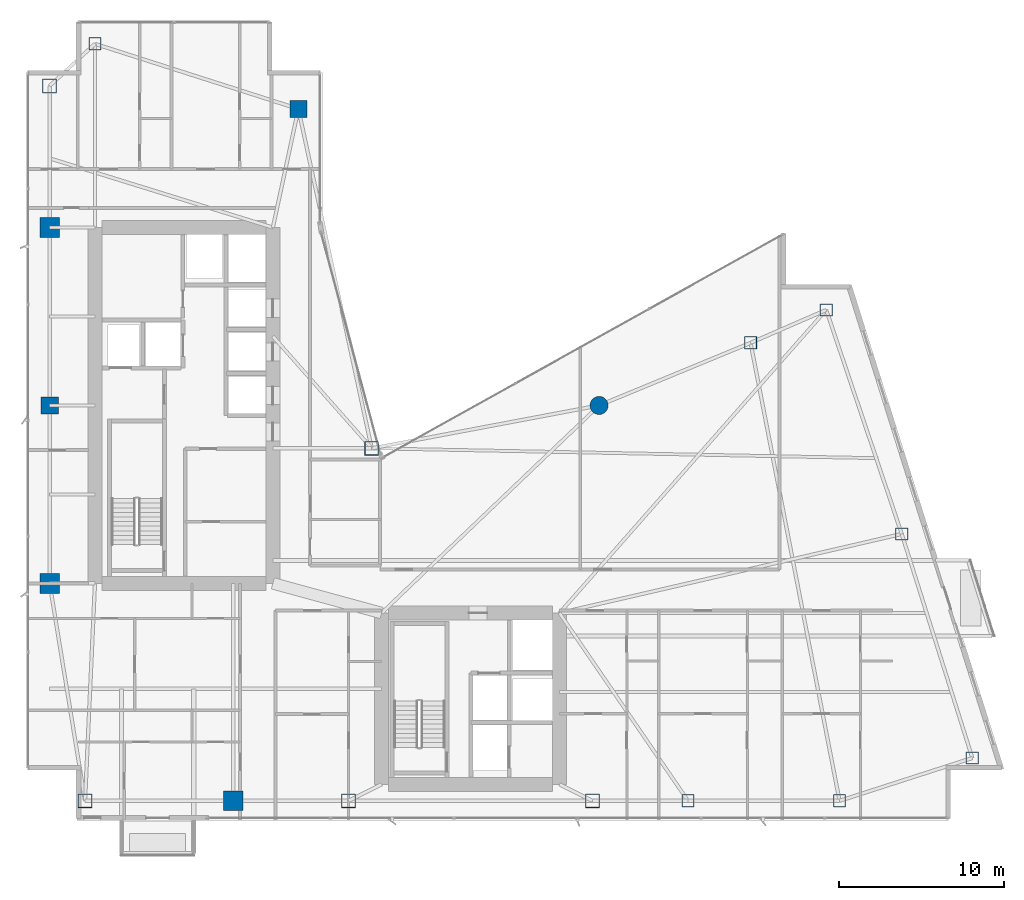
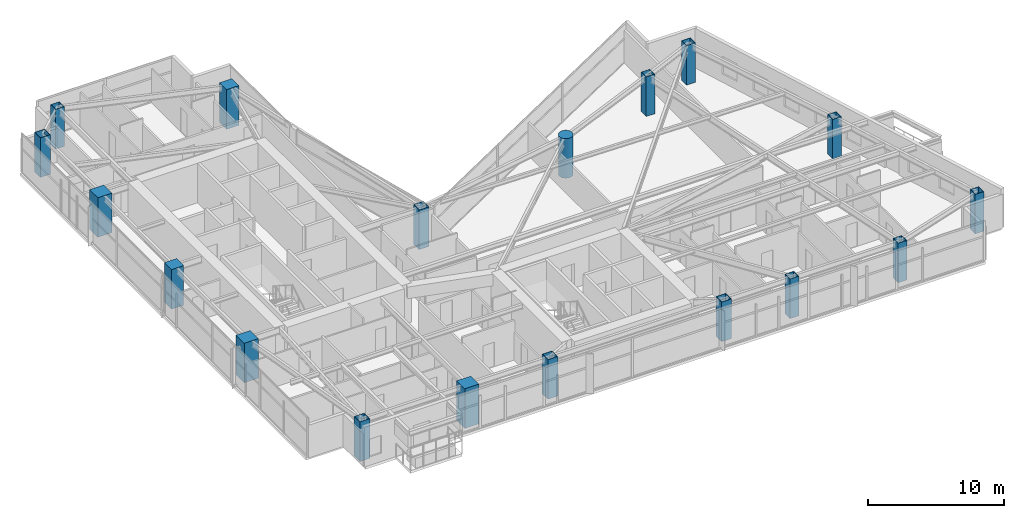
# One storey, part 1 of 28: 18 columns.
"""IFC4 building model written with IfcOpenShell, lengths in metres."""

import ifcopenshell
import ifcopenshell.guid

model = None  # the IFC model being written
_history = None  # IfcOwnerHistory: only IFC2X3 demands one
_inside = {}  # id of a spatial element -> (the spatial element, [elements in it])
_under = {}  # id of a project, library or spatial element -> (it, [spatial elements below it])
_declared = {}  # id of a project -> (the project, [libraries it declares])
_typed = {}  # id of a type object -> (the type object, [elements of that type])
_made_of = {}  # id of a material, layer set ... -> (it, [elements and type objects made of it])


def new_model(schema):
    """Start an empty IFC model of exactly this schema.

    Asked for "IFC4X3", IfcOpenShell would pick the latest addendum, in which some entities
    have other attributes; the version numbers below select the first issue.
    IFC2X3 requires an IfcOwnerHistory on every rooted entity: one is made here for all.
    """
    global model, _history
    if schema == "IFC4X3":
        model = ifcopenshell.file(schema_version=(4, 3, 0, 0))
    else:
        model = ifcopenshell.file(schema=schema)
    _inside.clear()
    _under.clear()
    _declared.clear()
    _typed.clear()
    _made_of.clear()
    _history = None
    if model.schema == "IFC2X3":
        org = make("IfcOrganization", Name="unknown")
        user = make(
            "IfcPersonAndOrganization",
            ThePerson=make("IfcPerson", FamilyName="unknown"),
            TheOrganization=org,
        )
        app = make(
            "IfcApplication",
            ApplicationDeveloper=org,
            Version="unknown",
            ApplicationFullName="unknown",
            ApplicationIdentifier="unknown",
        )
        _history = make(
            "IfcOwnerHistory",
            OwningUser=user,
            OwningApplication=app,
            ChangeAction="ADDED",
            CreationDate=0,
        )
    return model


def make(cls, **values):
    """One entity of the class cls with the attributes given. An attribute that is None is left unset."""
    return model.create_entity(
        cls, **{name: value for name, value in values.items() if value is not None}
    )


def rooted(cls, **values):
    """An entity with a GlobalId (a new one), such as an element, a storey or a relation."""
    return make(cls, GlobalId=ifcopenshell.guid.new(), OwnerHistory=_history, **values)


def si_unit(unit_type, name, prefix=None):
    """IfcSIUnit, for example si_unit("LENGTHUNIT", "METRE", prefix="MILLI")."""
    return make("IfcSIUnit", UnitType=unit_type, Prefix=prefix, Name=name)


def assignment(units):
    """IfcUnitAssignment: the units of a project."""
    return None if units is None else make("IfcUnitAssignment", Units=units)


def point(xyz):
    """IfcCartesianPoint."""
    return None if xyz is None else make("IfcCartesianPoint", Coordinates=xyz)


def direction(xyz):
    """IfcDirection."""
    return None if xyz is None else make("IfcDirection", DirectionRatios=xyz)


def frame(location, z_axis=None, x_axis=None):
    """IfcAxis2Placement3D, a coordinate frame: its origin and axes. An axis left out is left unset."""
    return make(
        "IfcAxis2Placement3D",
        Location=point(location),
        Axis=direction(z_axis),
        RefDirection=direction(x_axis),
    )


def frame_2d(location, x_axis=None):
    """IfcAxis2Placement2D, a coordinate frame in the plane: its origin and x axis."""
    return make(
        "IfcAxis2Placement2D", Location=point(location), RefDirection=direction(x_axis)
    )


def origin():
    """The frame at (0, 0, 0) with its axes left unset."""
    return frame((0.0, 0.0, 0.0))


def origin_2d():
    """The frame at (0, 0) in the plane with its x axis left unset."""
    return frame_2d((0.0, 0.0))


def place(relative_to, where):
    """IfcLocalPlacement: puts the frame where relative to a parent placement (None: the world)."""
    return make(
        "IfcLocalPlacement", PlacementRelTo=relative_to, RelativePlacement=where
    )


def context(
    kind, dimensions, precision=None, world=None, true_north=None, identifier=None
):
    """IfcGeometricRepresentationContext, for example the 3D "Model" context."""
    return make(
        "IfcGeometricRepresentationContext",
        ContextIdentifier=identifier,
        ContextType=kind,
        CoordinateSpaceDimension=dimensions,
        Precision=precision,
        WorldCoordinateSystem=world,
        TrueNorth=true_north,
    )


def subcontext(parent, identifier, kind, view, scale=None):
    """IfcGeometricRepresentationSubContext, for example "Body" below "Model"."""
    return make(
        "IfcGeometricRepresentationSubContext",
        ContextIdentifier=identifier,
        ContextType=kind,
        ParentContext=parent,
        TargetScale=scale,
        TargetView=view,
    )


def project(units=None, contexts=None):
    """IfcProject with its units and contexts."""
    return rooted(
        "IfcProject",
        Name="project",
        RepresentationContexts=contexts,
        UnitsInContext=assignment(units),
    )


def spatial(cls, under=None, at=None, **own):
    """A site, building, storey or space (cls), placed at a placement, below another one or the project."""
    s = rooted(cls, ObjectPlacement=at, **own)
    if under is not None:
        _under.setdefault(under.id(), (under, []))[1].append(s)
    return s


def profile(cls, at=None, kind="AREA", **sizes):
    """A parametric profile (cls). Its sizes go by their IFC names, for example OverallWidth=200.0."""
    return make(cls, ProfileType=kind, Position=at, **sizes)


def rectangle(**sizes):
    """IfcRectangleProfileDef."""
    return profile("IfcRectangleProfileDef", **sizes)


def hollow_rectangle(**sizes):
    """IfcRectangleHollowProfileDef."""
    return profile("IfcRectangleHollowProfileDef", **sizes)


def circle(**sizes):
    """IfcCircleProfileDef."""
    return profile("IfcCircleProfileDef", **sizes)


def extrude(swept, where, along, depth):
    """IfcExtrudedAreaSolid: the profile swept, set in the frame where, extruded along a direction by depth."""
    return make(
        "IfcExtrudedAreaSolid",
        SweptArea=swept,
        Position=where,
        ExtrudedDirection=direction(along),
        Depth=depth,
    )


def shape(context_of_items, identifier, shape_type, items):
    """IfcShapeRepresentation: the items that make up one representation, for example the "Body"."""
    return make(
        "IfcShapeRepresentation",
        ContextOfItems=context_of_items,
        RepresentationIdentifier=identifier,
        RepresentationType=shape_type,
        Items=items,
    )


def material(Name=None, Category=None):
    """IfcMaterial."""
    return make("IfcMaterial", Name=Name, Category=Category)


def material_profile(
    of_material, cross_section, Name=None, Category=None, Priority=None
):
    """IfcMaterialProfile: a cross section and its material."""
    return make(
        "IfcMaterialProfile",
        Name=Name,
        Material=of_material,
        Profile=cross_section,
        Priority=Priority,
        Category=Category,
    )


def profile_set(profiles, Name=None, composite=None):
    """IfcMaterialProfileSet."""
    return make(
        "IfcMaterialProfileSet",
        Name=Name,
        MaterialProfiles=profiles,
        CompositeProfile=composite,
    )


def made_of(thing, what):
    """Note that an element or type object is made of a material, layer set ...; save() writes the relation."""
    if what is not None:
        _made_of.setdefault(what.id(), (what, []))[1].append(thing)
    return thing


def type_object(cls, material=None, **own):
    """A type object (cls), such as IfcWallType, which elements share."""
    return made_of(rooted(cls, **own), material)


def element(
    cls,
    number,
    at=None,
    inside=None,
    cuts=None,
    type_object=None,
    material=None,
    context=None,
    identifier="Body",
    shape_type=None,
    held_by="IfcProductDefinitionShape",
    body=None,
    shapes=None,
    **own,
):
    """One element of the class cls, such as IfcWall. Its Tag is "e" and its number.

    at: its placement. inside: the storey or other place that contains it. cuts: it is an
    opening in that element (IfcRelVoidsElement). A single representation is given by context,
    identifier, shape_type and body (its items); several are given by shapes. held_by: the class
    of the entity that holds the representations. save() writes the other relations.
    """
    e = rooted(cls, Tag="e%d" % number, ObjectPlacement=at, **own)
    if body is not None:
        shapes = [shape(context, identifier, shape_type, body)]
    if shapes is not None:
        e.Representation = make(held_by, Representations=shapes)
    if inside is not None:
        _inside.setdefault(inside.id(), (inside, []))[1].append(e)
    if cuts is not None:
        rooted(
            "IfcRelVoidsElement", RelatingBuildingElement=cuts, RelatedOpeningElement=e
        )
    if type_object is not None:
        _typed.setdefault(type_object.id(), (type_object, []))[1].append(e)
    return made_of(e, material)


def aggregate(whole, parts):
    """IfcRelAggregates: a whole, such as a stair, and the parts it consists of."""
    return rooted("IfcRelAggregates", RelatingObject=whole, RelatedObjects=parts)


def save(model, path):
    """Write the relations noted so far, then the file.

    IfcRelAggregates (storeys below a building ...), IfcRelContainedInSpatialStructure (elements
    in a storey), IfcRelDefinesByType, IfcRelAssociatesMaterial and IfcRelDeclares: one each for
    every whole, place, type object, material and project.
    """
    for whole, parts in _under.values():
        aggregate(whole, parts)
    for where, things in _inside.values():
        rooted(
            "IfcRelContainedInSpatialStructure",
            RelatedElements=things,
            RelatingStructure=where,
        )
    for kind, things in _typed.values():
        rooted("IfcRelDefinesByType", RelatedObjects=things, RelatingType=kind)
    for what, things in _made_of.values():
        rooted("IfcRelAssociatesMaterial", RelatedObjects=things, RelatingMaterial=what)
    for by, libraries in _declared.values():
        rooted("IfcRelDeclares", RelatingContext=by, RelatedDefinitions=libraries)
    model.write(path)


model = new_model("IFC4")

# Units and contexts
model_context = context("Model", 3, precision=1e-05, world=origin(), true_north=direction((0.0, 1.0)))
body_context = subcontext(model_context, "Body", "Model", "MODEL_VIEW")
ifc_project = project(units=[si_unit("LENGTHUNIT", "METRE"), si_unit("AREAUNIT", "SQUARE_METRE"), si_unit("VOLUMEUNIT", "CUBIC_METRE"), si_unit("PLANEANGLEUNIT", "RADIAN"), si_unit("MASSUNIT", "GRAM", prefix="KILO")], contexts=[model_context])

# Site, building, storey
site_placement = place(None, origin())
site = spatial("IfcSite", under=ifc_project, at=site_placement, CompositionType="ELEMENT")
building_placement = place(site_placement, origin())
building = spatial("IfcBuilding", under=site, at=building_placement, Name="Calvorn Quay Hotel", CompositionType="ELEMENT")
storey_placement = place(building_placement, frame((0.0, 0.0, 152.300048828125)))
storey = spatial("IfcBuildingStorey", under=building, at=storey_placement, Name="L37", CompositionType="ELEMENT", Elevation=152.300048828125)

# Columns
ifc_material_1 = material(Name="Concrete C50", Category="concrete")
ifc_material_profile_1 = material_profile(ifc_material_1, rectangle(XDim=1.050048828125, YDim=1.050048828125, at=origin_2d()), Name="RC1050x1050")
ifc_profile_set_1 = profile_set([ifc_material_profile_1], Name="Concrete C50")
column_type_1 = type_object("IfcColumnType", Name="COL-RC-1050", PredefinedType="COLUMN", material=ifc_profile_set_1)
for number, where, z_axis, x_axis, name in (
    (1, (1.449951171875, 27.60009765625, 0.0), (0.0, 0.0, 1.0), (1.0, 0.0, 0.0), "Column C-W3 (L37)"),
    (2, (16.550048828125, 45.60009765625, 0.0), (0.0, 0.0, 1.0), (1.0, 0.0, 0.0), "Column C-IC1 (L37)"),
):
    element("IfcColumn", number, at=place(storey_placement, frame(where, z_axis=z_axis, x_axis=x_axis)), inside=storey, type_object=column_type_1, Name=name, PredefinedType="COLUMN", context=body_context, shape_type="SweptSolid", body=[
        extrude(rectangle(XDim=1.050048828125, YDim=1.050048828125, at=origin_2d()), origin(), (0.0, 0.0, 1.0), 3.56005859375),
    ])
ifc_material_2 = material(Name="Concrete C50", Category="concrete")
ifc_material_profile_2 = material_profile(ifc_material_2, rectangle(XDim=1.199951171875, YDim=1.199951171875, at=origin_2d()), Name="RC1200x1200")
ifc_profile_set_2 = profile_set([ifc_material_profile_2], Name="Concrete C50")
column_type_2 = type_object("IfcColumnType", Name="COL-RC-1200", PredefinedType="COLUMN", material=ifc_profile_set_2)
for number, where, z_axis, x_axis, name in (
    (3, (1.449951171875, 16.800048828125, 0.0), (0.0, 0.0, 1.0), (1.0, 0.0, 0.0), "Column C-W2 (L37)"),
    (4, (1.449951171875, 38.39990234375, 0.0), (0.0, 0.0, 1.0), (1.0, 0.0, 0.0), "Column C-W4 (L37)"),
    (5, (12.60009765625, 3.60009765625, 0.0), (0.0, 0.0, 1.0), (1.0, 0.0, 0.0), "Column C-S1 (L37)"),
):
    element("IfcColumn", number, at=place(storey_placement, frame(where, z_axis=z_axis, x_axis=x_axis)), inside=storey, type_object=column_type_2, Name=name, PredefinedType="COLUMN", context=body_context, shape_type="SweptSolid", body=[
        extrude(rectangle(XDim=1.199951171875, YDim=1.199951171875, at=origin_2d()), origin(), (0.0, 0.0, 1.0), 3.56005859375),
    ])
ifc_material_3 = material(Name="Concrete C50", Category="concrete")
ifc_material_profile_3 = material_profile(ifc_material_3, circle(Radius=0.550048828125, at=origin_2d()), Name="RCD1100")
ifc_profile_set_3 = profile_set([ifc_material_profile_3], Name="Concrete C50")
column_type_3 = type_object("IfcColumnType", Name="COL-RC-D1100", PredefinedType="COLUMN", material=ifc_profile_set_3)
column_placement = place(storey_placement, frame((34.800048828125, 27.60009765625, 0.0), z_axis=(0.0, 0.0, 1.0), x_axis=(1.0, 0.0, 0.0)))
element("IfcColumn", 6, at=column_placement, inside=storey, type_object=column_type_3, Name="Column C-NC1 (L37)", PredefinedType="COLUMN", context=body_context, shape_type="SweptSolid", body=[
    extrude(circle(Radius=0.550048828125, at=origin_2d()), origin(), (0.0, 0.0, 1.0), 3.56005859375),
])
ifc_material_4 = material(Name="Steel Q390GJC", Category="steel")
ifc_material_profile_4 = material_profile(ifc_material_4, hollow_rectangle(XDim=0.85009765625, YDim=0.85009765625, WallThickness=0.035888671875, at=origin_2d()), Name="BOX850x850x36")
ifc_profile_set_4 = profile_set([ifc_material_profile_4], Name="Steel Q390GJC")
column_type_4 = type_object("IfcColumnType", Name="COL-STL-Z2", PredefinedType="COLUMN", material=ifc_profile_set_4)
for number, where, z_axis, x_axis, name in (
    (7, (3.60009765625, 3.60009765625, 0.0), (0.0, 0.0, 1.0), (1.0, 0.0, 0.0), "Column C-W1 (L37)"),
    (8, (1.449951171875, 47.0, 0.0), (0.0, 0.0, 1.0), (1.0, 0.0, 0.0), "Column C-W5 (L37)"),
    (9, (21.0, 25.0, 0.0), (0.0, 0.0, 1.0), (1.0, 0.0, 0.0), "Column C-IC2 (L37)"),
    (10, (19.60009765625, 3.60009765625, 0.0), (0.0, 0.0, 1.0), (1.0, 0.0, 0.0), "Column C-S2 (L37)"),
    (11, (34.39990234375, 3.60009765625, 0.0), (0.0, 0.0, 1.0), (1.0, 0.0, 0.0), "Column C-S3 (L37)"),
):
    element("IfcColumn", number, at=place(storey_placement, frame(where, z_axis=z_axis, x_axis=x_axis)), inside=storey, type_object=column_type_4, Name=name, PredefinedType="COLUMN", context=body_context, shape_type="SweptSolid", body=[
        extrude(hollow_rectangle(XDim=0.85009765625, YDim=0.85009765625, WallThickness=0.035888671875, at=origin_2d()), origin(), (0.0, 0.0, 1.0), 3.56005859375),
    ])
ifc_material_5 = material(Name="Steel Q390GJC", Category="steel")
ifc_material_profile_5 = material_profile(ifc_material_5, hollow_rectangle(XDim=0.75, YDim=0.75, WallThickness=0.031982421875, at=origin_2d()), Name="BOX750x750x32")
ifc_profile_set_5 = profile_set([ifc_material_profile_5], Name="Steel Q390GJC")
column_type_5 = type_object("IfcColumnType", Name="COL-STL-Z3", PredefinedType="COLUMN", material=ifc_profile_set_5)
for number, where, z_axis, x_axis, name in (
    (12, (4.199951171875, 49.550048828125, 0.0), (0.0, 0.0, 1.0), (1.0, 0.0, 0.0), "Column C-NW1 (L37)"),
    (13, (40.199951171875, 3.60009765625, 0.0), (0.0, 0.0, 1.0), (1.0, 0.0, 0.0), "Column C-S4 (L37)"),
    (14, (49.39990234375, 3.60009765625, 0.0), (0.0, 0.0, 1.0), (1.0, 0.0, 0.0), "Column C-S5 (L37)"),
    (15, (44.0, 31.39990234375, 0.0), (0.0, 0.0, 1.0), (1.0, 0.0, 0.0), "Column C-NC2 (L37)"),
    (16, (57.4609375, 6.199951171875, 0.0), (0.0, 0.0, 1.0), (1.0, 0.0, 0.0), "Column C-ET1 (L37)"),
    (17, (53.176025390625, 19.800048828125, 0.0), (0.0, 0.0, 1.0), (1.0, 0.0, 0.0), "Column C-ET2 (L37)"),
    (18, (48.591064453125, 33.39990234375, 0.0), (0.0, 0.0, 1.0), (1.0, 0.0, 0.0), "Column C-ET3 (L37)"),
):
    element("IfcColumn", number, at=place(storey_placement, frame(where, z_axis=z_axis, x_axis=x_axis)), inside=storey, type_object=column_type_5, Name=name, PredefinedType="COLUMN", context=body_context, shape_type="SweptSolid", body=[
        extrude(hollow_rectangle(XDim=0.75, YDim=0.75, WallThickness=0.031982421875, at=origin_2d()), origin(), (0.0, 0.0, 1.0), 3.56005859375),
    ])

save(model, "model.ifc")
